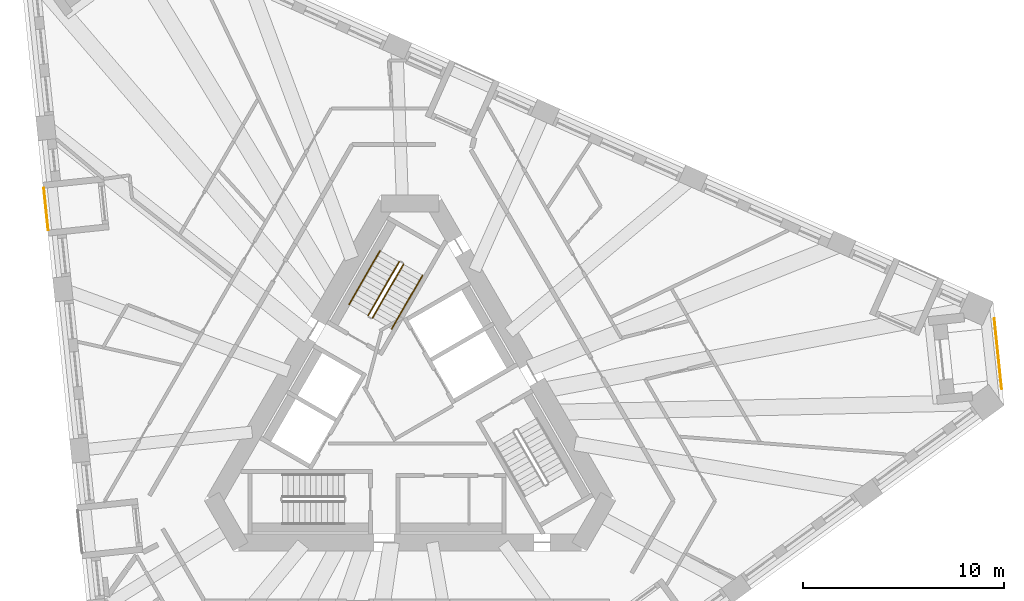
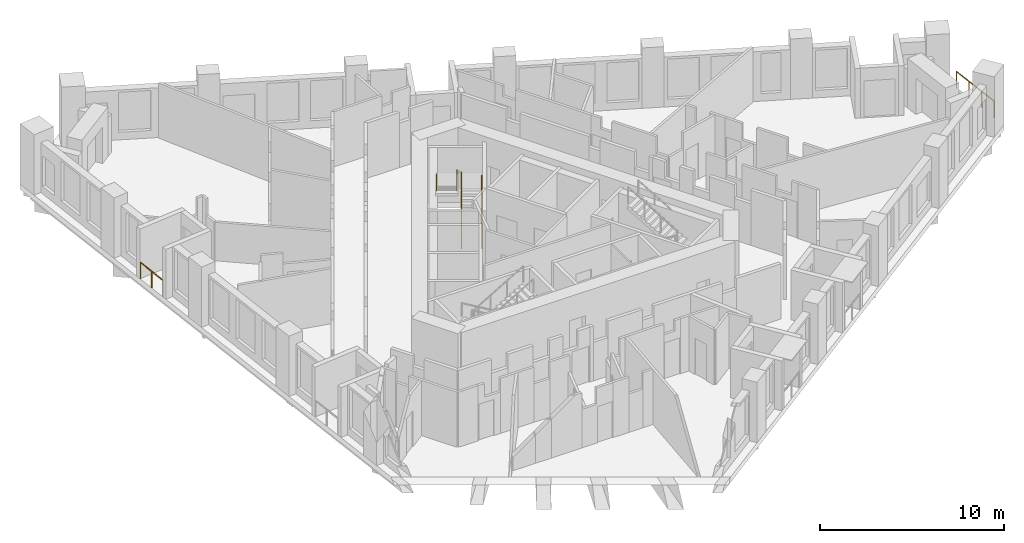
# One storey, part 12 of 14: 6 railings.
"""IFC4 building model written with IfcOpenShell, lengths in metres."""

import ifcopenshell
import ifcopenshell.guid

model = None  # the IFC model being written
_history = None  # IfcOwnerHistory: only IFC2X3 demands one
_inside = {}  # id of a spatial element -> (the spatial element, [elements in it])
_under = {}  # id of a project, library or spatial element -> (it, [spatial elements below it])
_declared = {}  # id of a project -> (the project, [libraries it declares])
_typed = {}  # id of a type object -> (the type object, [elements of that type])
_made_of = {}  # id of a material, layer set ... -> (it, [elements and type objects made of it])


def new_model(schema):
    """Start an empty IFC model of exactly this schema.

    Asked for "IFC4X3", IfcOpenShell would pick the latest addendum, in which some entities
    have other attributes; the version numbers below select the first issue.
    IFC2X3 requires an IfcOwnerHistory on every rooted entity: one is made here for all.
    """
    global model, _history
    if schema == "IFC4X3":
        model = ifcopenshell.file(schema_version=(4, 3, 0, 0))
    else:
        model = ifcopenshell.file(schema=schema)
    _inside.clear()
    _under.clear()
    _declared.clear()
    _typed.clear()
    _made_of.clear()
    _history = None
    if model.schema == "IFC2X3":
        org = make("IfcOrganization", Name="unknown")
        user = make(
            "IfcPersonAndOrganization",
            ThePerson=make("IfcPerson", FamilyName="unknown"),
            TheOrganization=org,
        )
        app = make(
            "IfcApplication",
            ApplicationDeveloper=org,
            Version="unknown",
            ApplicationFullName="unknown",
            ApplicationIdentifier="unknown",
        )
        _history = make(
            "IfcOwnerHistory",
            OwningUser=user,
            OwningApplication=app,
            ChangeAction="ADDED",
            CreationDate=0,
        )
    return model


def make(cls, **values):
    """One entity of the class cls with the attributes given. An attribute that is None is left unset."""
    return model.create_entity(
        cls, **{name: value for name, value in values.items() if value is not None}
    )


def rooted(cls, **values):
    """An entity with a GlobalId (a new one), such as an element, a storey or a relation."""
    return make(cls, GlobalId=ifcopenshell.guid.new(), OwnerHistory=_history, **values)


def si_unit(unit_type, name, prefix=None):
    """IfcSIUnit, for example si_unit("LENGTHUNIT", "METRE", prefix="MILLI")."""
    return make("IfcSIUnit", UnitType=unit_type, Prefix=prefix, Name=name)


def assignment(units):
    """IfcUnitAssignment: the units of a project."""
    return None if units is None else make("IfcUnitAssignment", Units=units)


def point(xyz):
    """IfcCartesianPoint."""
    return None if xyz is None else make("IfcCartesianPoint", Coordinates=xyz)


def direction(xyz):
    """IfcDirection."""
    return None if xyz is None else make("IfcDirection", DirectionRatios=xyz)


def frame(location, z_axis=None, x_axis=None):
    """IfcAxis2Placement3D, a coordinate frame: its origin and axes. An axis left out is left unset."""
    return make(
        "IfcAxis2Placement3D",
        Location=point(location),
        Axis=direction(z_axis),
        RefDirection=direction(x_axis),
    )


def frame_2d(location, x_axis=None):
    """IfcAxis2Placement2D, a coordinate frame in the plane: its origin and x axis."""
    return make(
        "IfcAxis2Placement2D", Location=point(location), RefDirection=direction(x_axis)
    )


def origin():
    """The frame at (0, 0, 0) with its axes left unset."""
    return frame((0.0, 0.0, 0.0))


def origin_2d():
    """The frame at (0, 0) in the plane with its x axis left unset."""
    return frame_2d((0.0, 0.0))


def place(relative_to, where):
    """IfcLocalPlacement: puts the frame where relative to a parent placement (None: the world)."""
    return make(
        "IfcLocalPlacement", PlacementRelTo=relative_to, RelativePlacement=where
    )


def context(
    kind, dimensions, precision=None, world=None, true_north=None, identifier=None
):
    """IfcGeometricRepresentationContext, for example the 3D "Model" context."""
    return make(
        "IfcGeometricRepresentationContext",
        ContextIdentifier=identifier,
        ContextType=kind,
        CoordinateSpaceDimension=dimensions,
        Precision=precision,
        WorldCoordinateSystem=world,
        TrueNorth=true_north,
    )


def subcontext(parent, identifier, kind, view, scale=None):
    """IfcGeometricRepresentationSubContext, for example "Body" below "Model"."""
    return make(
        "IfcGeometricRepresentationSubContext",
        ContextIdentifier=identifier,
        ContextType=kind,
        ParentContext=parent,
        TargetScale=scale,
        TargetView=view,
    )


def project(units=None, contexts=None):
    """IfcProject with its units and contexts."""
    return rooted(
        "IfcProject",
        Name="project",
        RepresentationContexts=contexts,
        UnitsInContext=assignment(units),
    )


def spatial(cls, under=None, at=None, **own):
    """A site, building, storey or space (cls), placed at a placement, below another one or the project."""
    s = rooted(cls, ObjectPlacement=at, **own)
    if under is not None:
        _under.setdefault(under.id(), (under, []))[1].append(s)
    return s


def profile(cls, at=None, kind="AREA", **sizes):
    """A parametric profile (cls). Its sizes go by their IFC names, for example OverallWidth=200.0."""
    return make(cls, ProfileType=kind, Position=at, **sizes)


def circle(**sizes):
    """IfcCircleProfileDef."""
    return profile("IfcCircleProfileDef", **sizes)


def extrude(swept, where, along, depth):
    """IfcExtrudedAreaSolid: the profile swept, set in the frame where, extruded along a direction by depth."""
    return make(
        "IfcExtrudedAreaSolid",
        SweptArea=swept,
        Position=where,
        ExtrudedDirection=direction(along),
        Depth=depth,
    )


def shape(context_of_items, identifier, shape_type, items):
    """IfcShapeRepresentation: the items that make up one representation, for example the "Body"."""
    return make(
        "IfcShapeRepresentation",
        ContextOfItems=context_of_items,
        RepresentationIdentifier=identifier,
        RepresentationType=shape_type,
        Items=items,
    )


def material(Name=None, Category=None):
    """IfcMaterial."""
    return make("IfcMaterial", Name=Name, Category=Category)


def made_of(thing, what):
    """Note that an element or type object is made of a material, layer set ...; save() writes the relation."""
    if what is not None:
        _made_of.setdefault(what.id(), (what, []))[1].append(thing)
    return thing


def type_object(cls, material=None, **own):
    """A type object (cls), such as IfcWallType, which elements share."""
    return made_of(rooted(cls, **own), material)


def element(
    cls,
    number,
    at=None,
    inside=None,
    cuts=None,
    type_object=None,
    material=None,
    context=None,
    identifier="Body",
    shape_type=None,
    held_by="IfcProductDefinitionShape",
    body=None,
    shapes=None,
    **own,
):
    """One element of the class cls, such as IfcWall. Its Tag is "e" and its number.

    at: its placement. inside: the storey or other place that contains it. cuts: it is an
    opening in that element (IfcRelVoidsElement). A single representation is given by context,
    identifier, shape_type and body (its items); several are given by shapes. held_by: the class
    of the entity that holds the representations. save() writes the other relations.
    """
    e = rooted(cls, Tag="e%d" % number, ObjectPlacement=at, **own)
    if body is not None:
        shapes = [shape(context, identifier, shape_type, body)]
    if shapes is not None:
        e.Representation = make(held_by, Representations=shapes)
    if inside is not None:
        _inside.setdefault(inside.id(), (inside, []))[1].append(e)
    if cuts is not None:
        rooted(
            "IfcRelVoidsElement", RelatingBuildingElement=cuts, RelatedOpeningElement=e
        )
    if type_object is not None:
        _typed.setdefault(type_object.id(), (type_object, []))[1].append(e)
    return made_of(e, material)


def aggregate(whole, parts):
    """IfcRelAggregates: a whole, such as a stair, and the parts it consists of."""
    return rooted("IfcRelAggregates", RelatingObject=whole, RelatedObjects=parts)


def save(model, path):
    """Write the relations noted so far, then the file.

    IfcRelAggregates (storeys below a building ...), IfcRelContainedInSpatialStructure (elements
    in a storey), IfcRelDefinesByType, IfcRelAssociatesMaterial and IfcRelDeclares: one each for
    every whole, place, type object, material and project.
    """
    for whole, parts in _under.values():
        aggregate(whole, parts)
    for where, things in _inside.values():
        rooted(
            "IfcRelContainedInSpatialStructure",
            RelatedElements=things,
            RelatingStructure=where,
        )
    for kind, things in _typed.values():
        rooted("IfcRelDefinesByType", RelatedObjects=things, RelatingType=kind)
    for what, things in _made_of.values():
        rooted("IfcRelAssociatesMaterial", RelatedObjects=things, RelatingMaterial=what)
    for by, libraries in _declared.values():
        rooted("IfcRelDeclares", RelatingContext=by, RelatedDefinitions=libraries)
    model.write(path)


model = new_model("IFC4")

# Units and contexts
model_context = context("Model", 3, precision=1e-05, world=origin(), true_north=direction((0.0, 1.0)))
body_context = subcontext(model_context, "Body", "Model", "MODEL_VIEW")
ifc_project = project(units=[si_unit("LENGTHUNIT", "METRE"), si_unit("AREAUNIT", "SQUARE_METRE"), si_unit("VOLUMEUNIT", "CUBIC_METRE"), si_unit("PLANEANGLEUNIT", "RADIAN"), si_unit("MASSUNIT", "GRAM", prefix="KILO")], contexts=[model_context])

# Site, building, storey
site_placement = place(None, origin())
site = spatial("IfcSite", under=ifc_project, at=site_placement, CompositionType="ELEMENT")
building_placement = place(site_placement, origin())
building = spatial("IfcBuilding", under=site, at=building_placement, Name="Tramontana Tower", CompositionType="ELEMENT")
storey_placement = place(building_placement, frame((0.0, 0.0, 182.800048828125)))
storey = spatial("IfcBuildingStorey", under=building, at=storey_placement, Name="L42", CompositionType="ELEMENT", Elevation=182.800048828125)

# Railings
ifc_material_1 = material(Name="Laminated glass balustrade", Category="glass")
railing_type_1 = type_object("IfcRailingType", Name="GD1 Loggia glass balustrade 1100", PredefinedType="BALUSTRADE", material=ifc_material_1)
railing_1_placement = place(storey_placement, frame((-18.25390625, 11.325439453125, 0.0)))
element("IfcRailing", 1, at=railing_1_placement, inside=storey, type_object=railing_type_1, Name="Loggia balustrade L42 G4S0.4", PredefinedType="BALUSTRADE", context=body_context, shape_type="SweptSolid", body=[
    extrude(circle(Radius=0.02392578125, at=origin_2d()), frame((0.0, 0.0, 1.076171875), z_axis=(0.104569484464, -0.994517583011, 0.0), x_axis=(0.994517583011, 0.104569484464, 0.0)), (0.0, 0.0, 1.0), 2.09423828125),
    extrude(circle(Radius=0.02099609375, at=origin_2d()), origin(), (0.0, 0.0, 1.0), 1.052001953125),
    extrude(circle(Radius=0.02099609375, at=origin_2d()), frame((0.109375, -1.04150390625, 0.0)), (0.0, 0.0, 1.0), 1.052001953125),
    extrude(circle(Radius=0.02099609375, at=origin_2d()), frame((0.218994140625, -2.082763671875, 0.0)), (0.0, 0.0, 1.0), 1.052001953125),
])
railing_2_placement = place(storey_placement, frame((29.125732421875, 4.82080078125, 0.0)))
element("IfcRailing", 2, at=railing_2_placement, inside=storey, type_object=railing_type_1, Name="Corner loggia balustrade L42 K42", PredefinedType="BALUSTRADE", context=body_context, shape_type="SweptSolid", body=[
    extrude(circle(Radius=0.02392578125, at=origin_2d()), frame((0.0, 0.0, 1.076171875), z_axis=(0.104495960989, -0.994525310958, 0.0), x_axis=(0.994525310958, 0.104495960989, 0.0)), (0.0, 0.0, 1.0), 3.499755859375),
    extrude(circle(Radius=0.02099609375, at=origin_2d()), origin(), (0.0, 0.0, 1.0), 1.052001953125),
    extrude(circle(Radius=0.02099609375, at=origin_2d()), frame((0.121826171875, -1.16015625, 0.0)), (0.0, 0.0, 1.0), 1.052001953125),
    extrude(circle(Radius=0.02099609375, at=origin_2d()), frame((0.243896484375, -2.320556640625, 0.0)), (0.0, 0.0, 1.0), 1.052001953125),
    extrude(circle(Radius=0.02099609375, at=origin_2d()), frame((0.36572265625, -3.480712890625, 0.0)), (0.0, 0.0, 1.0), 1.052001953125),
])
ifc_material_2 = material(Name="Painted steel", Category="steel")
railing_type_2 = type_object("IfcRailingType", Name="STAIR GUARD 1100", PredefinedType="GUARDRAIL", material=ifc_material_2)
railing_3_placement = place(storey_placement, frame((-1.867431640625, 4.865478515625, 0.16650390625)))
element("IfcRailing", 3, at=railing_3_placement, inside=storey, type_object=railing_type_2, Name="L42 ST1 stair guard 1", PredefinedType="GUARDRAIL", context=body_context, shape_type="SweptSolid", body=[
    extrude(circle(Radius=0.02392578125, at=origin_2d()), frame((0.0, 0.0, 1.076171875), z_axis=(0.429634447492, 0.7441639146, 0.511502013422), x_axis=(-0.866029832698, 0.499992328818, 0.0)), (0.0, 0.0, 1.0), 3.58447265625),
    extrude(circle(Radius=0.02099609375, at=origin_2d()), origin(), (0.0, 0.0, 1.0), 1.052001953125),
    extrude(circle(Radius=0.02099609375, at=origin_2d()), frame((0.513427734375, 0.88916015625, 0.611083984375)), (0.0, 0.0, 1.0), 1.052001953125),
    extrude(circle(Radius=0.02099609375, at=origin_2d()), frame((1.026611328125, 1.7783203125, 1.222412109375)), (0.0, 0.0, 1.0), 1.052001953125),
    extrude(circle(Radius=0.02099609375, at=origin_2d()), frame((1.5400390625, 2.66748046875, 1.83349609375)), (0.0, 0.0, 1.0), 1.052001953125),
])
railing_4_placement = place(storey_placement, frame((-0.5439453125, 7.657958984375, 2.16650390625)))
element("IfcRailing", 4, at=railing_4_placement, inside=storey, type_object=railing_type_2, Name="L42 ST1 stair guard 2", PredefinedType="GUARDRAIL", context=body_context, shape_type="SweptSolid", body=[
    extrude(circle(Radius=0.02392578125, at=origin_2d()), frame((0.0, 0.0, 1.076171875), z_axis=(-0.429634447492, -0.7441639146, 0.511502013422), x_axis=(0.866029832698, -0.499992328818, 0.0)), (0.0, 0.0, 1.0), 3.58447265625),
    extrude(circle(Radius=0.02099609375, at=origin_2d()), origin(), (0.0, 0.0, 1.0), 1.052001953125),
    extrude(circle(Radius=0.02099609375, at=origin_2d()), frame((-0.513427734375, -0.88916015625, 0.611083984375)), (0.0, 0.0, 1.0), 1.052001953125),
    extrude(circle(Radius=0.02099609375, at=origin_2d()), frame((-1.026611328125, -1.7783203125, 1.222412109375)), (0.0, 0.0, 1.0), 1.052001953125),
    extrude(circle(Radius=0.02099609375, at=origin_2d()), frame((-1.5400390625, -2.66748046875, 1.83349609375)), (0.0, 0.0, 1.0), 1.052001953125),
])
ifc_material_3 = material(Name="Painted steel", Category="steel")
railing_type_3 = type_object("IfcRailingType", Name="STAIR HANDRAIL 900", PredefinedType="HANDRAIL", material=ifc_material_3)
railing_5_placement = place(storey_placement, frame((-0.914794921875, 4.315673828125, 0.16650390625)))
element("IfcRailing", 5, at=railing_5_placement, inside=storey, type_object=railing_type_3, Name="L42 ST1 stair handrail 1", PredefinedType="HANDRAIL", context=body_context, shape_type="SweptSolid", body=[
    extrude(circle(Radius=0.02392578125, at=origin_2d()), frame((0.0, 0.0, 0.8759765625), z_axis=(0.429656224001, 0.744133520484, 0.511527939481), x_axis=(-0.866010015463, 0.500026652407, 0.0)), (0.0, 0.0, 1.0), 3.58447265625),
    extrude(circle(Radius=0.02099609375, at=origin_2d()), origin(), (0.0, 0.0, 1.0), 0.851806640625),
    extrude(circle(Radius=0.02099609375, at=origin_2d()), frame((0.513427734375, 0.88916015625, 0.611083984375)), (0.0, 0.0, 1.0), 0.851806640625),
    extrude(circle(Radius=0.02099609375, at=origin_2d()), frame((1.026611328125, 1.778076171875, 1.222412109375)), (0.0, 0.0, 1.0), 0.851806640625),
    extrude(circle(Radius=0.02099609375, at=origin_2d()), frame((1.5400390625, 2.667236328125, 1.83349609375)), (0.0, 0.0, 1.0), 0.851806640625),
])
railing_6_placement = place(storey_placement, frame((-1.49658203125, 8.2080078125, 2.16650390625)))
element("IfcRailing", 6, at=railing_6_placement, inside=storey, type_object=railing_type_3, Name="L42 ST1 stair handrail 2", PredefinedType="HANDRAIL", context=body_context, shape_type="SweptSolid", body=[
    extrude(circle(Radius=0.02392578125, at=origin_2d()), frame((0.0, 0.0, 0.8759765625), z_axis=(-0.429634447492, -0.7441639146, 0.511502013422), x_axis=(0.866029832698, -0.499992328818, 0.0)), (0.0, 0.0, 1.0), 3.58447265625),
    extrude(circle(Radius=0.02099609375, at=origin_2d()), origin(), (0.0, 0.0, 1.0), 0.851806640625),
    extrude(circle(Radius=0.02099609375, at=origin_2d()), frame((-0.513427734375, -0.88916015625, 0.611083984375)), (0.0, 0.0, 1.0), 0.851806640625),
    extrude(circle(Radius=0.02099609375, at=origin_2d()), frame((-1.026611328125, -1.7783203125, 1.222412109375)), (0.0, 0.0, 1.0), 0.851806640625),
    extrude(circle(Radius=0.02099609375, at=origin_2d()), frame((-1.5400390625, -2.66748046875, 1.83349609375)), (0.0, 0.0, 1.0), 0.851806640625),
])

save(model, "model.ifc")
